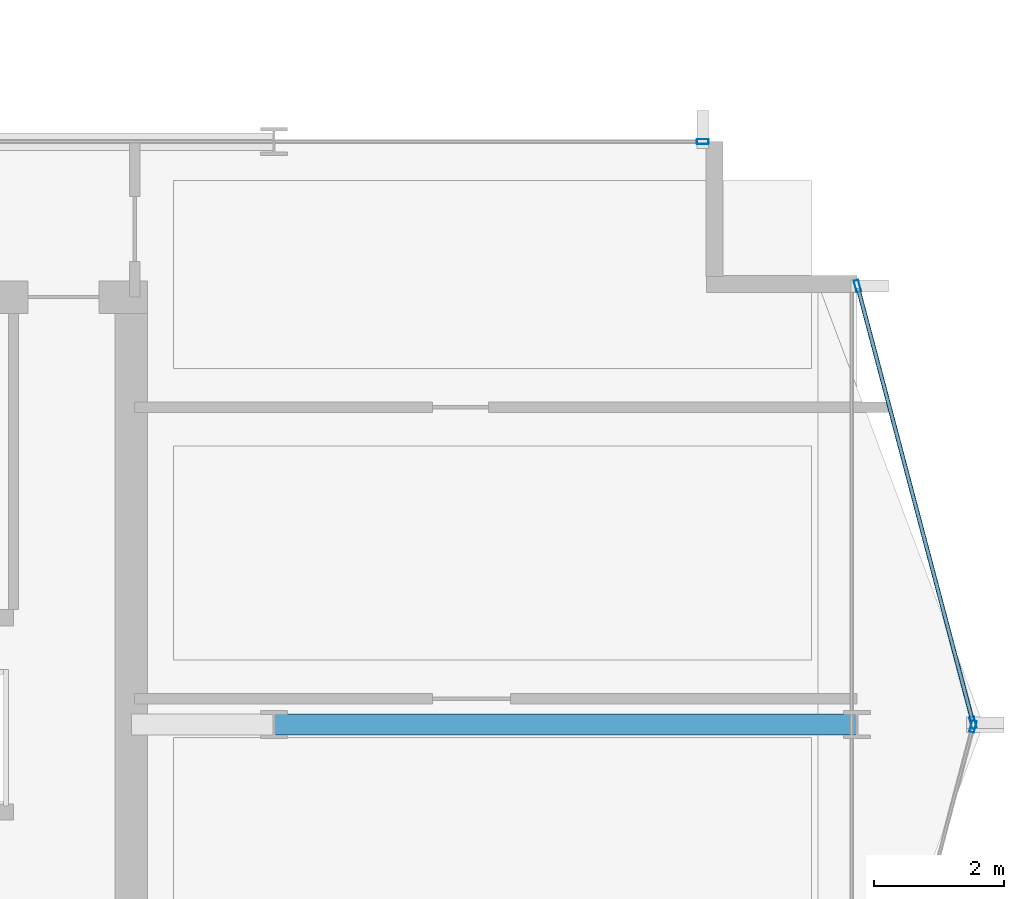
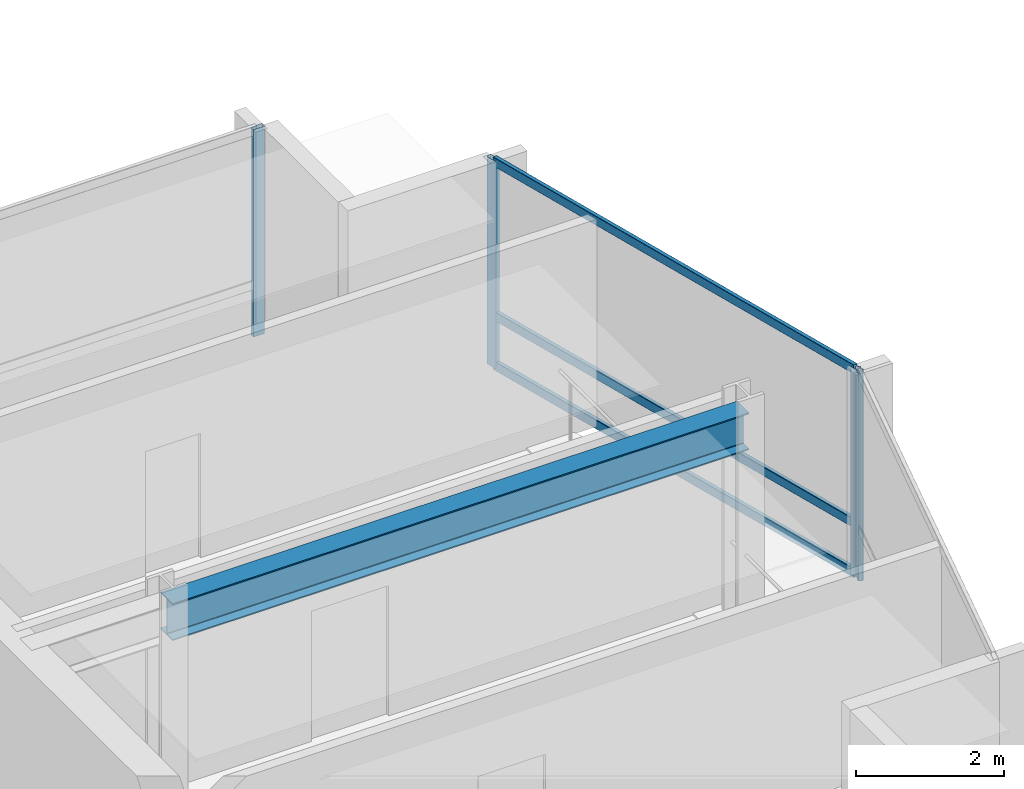
# One storey, part 14 of 29: 7 members, 1 beam, 3 elements without a shape of their own.
"""IFC4 building model written with IfcOpenShell, lengths in metres."""

from ifc_helpers import new_model, si_unit, direction, frame, origin, origin_2d, place, context, subcontext, project, spatial, hollow_rectangle, i_section, extrude, material, layer, layer_set, material_profile, profile_set, type_object, element, aggregate, save


model = new_model("IFC4")

# Units and contexts
model_context = context("Model", 3, precision=1e-05, world=origin(), true_north=direction((0.0, 1.0)))
body_context = subcontext(model_context, "Body", "Model", "MODEL_VIEW")
ifc_project = project(units=[si_unit("LENGTHUNIT", "METRE"), si_unit("AREAUNIT", "SQUARE_METRE"), si_unit("VOLUMEUNIT", "CUBIC_METRE"), si_unit("PLANEANGLEUNIT", "RADIAN"), si_unit("MASSUNIT", "GRAM", prefix="KILO")], contexts=[model_context])

# Site, building, storey
site_placement = place(None, origin())
site = spatial("IfcSite", under=ifc_project, at=site_placement, CompositionType="ELEMENT")
building_placement = place(site_placement, origin())
building = spatial("IfcBuilding", under=site, at=building_placement, Name="Solvaryn Broadcast Tower", CompositionType="ELEMENT")
storey_placement = place(building_placement, frame((0.0, 0.0, 143.300048828125)))
storey = spatial("IfcBuildingStorey", under=building, at=storey_placement, Name="L35", CompositionType="ELEMENT", Elevation=143.300048828125)

# Beam
ifc_material_1 = material(Name="Steel ASTM A992 Grade 50", Category="steel")
ifc_material_profile_1 = material_profile(ifc_material_1, i_section(OverallWidth=0.323974609375, OverallDepth=0.611083984375, WebThickness=0.0126953125, FlangeThickness=0.01904296875, FilletRadius=0.014892578125, at=origin_2d()))
ifc_profile_set_1 = profile_set([ifc_material_profile_1], Name="Steel ASTM A992 Grade 50")
beam_type = type_object("IfcBeamType", Name="BM-B1-W24X104", PredefinedType="BEAM", material=ifc_profile_set_1)
beam_placement = place(storey_placement, frame((45.0, 18.0, 3.114501953125), z_axis=(1.0, 0.0, 0.0), x_axis=(0.0, 1.0, 0.0)))
element("IfcBeam", 1, at=beam_placement, inside=storey, type_object=beam_type, Name="L35 Primary Beam X (45-54 @ Y=18)", PredefinedType="BEAM", context=body_context, shape_type="SweptSolid", body=[
    extrude(i_section(OverallWidth=0.323974609375, OverallDepth=0.611083984375, WebThickness=0.0126953125, FlangeThickness=0.01904296875, FilletRadius=0.014892578125, at=origin_2d()), origin(), (0.0, 0.0, 1.0), 9.0),
])

# Curtain wall, members
ifc_material_2 = material(Name="Aluminium and Terracotta Unitised Curtain Wall", Category="masonry")
ifc_layer = layer(ifc_material_2, 0.199951171875)
ifc_layer_set = layer_set([ifc_layer], Name="CW-SYS2-LOWMID")
curtain_wall_type = type_object("IfcCurtainWallType", Name="CW-SYS2-LOWMID", PredefinedType="NOTDEFINED", material=ifc_layer_set)
curtain_wall_1_placement = place(storey_placement, origin())
curtain_wall_1 = element("IfcCurtainWall", 2, at=curtain_wall_1_placement, inside=storey, type_object=curtain_wall_type, Name="L35 Curtain Wall ET1", PredefinedType="NOTDEFINED")
ifc_material_3 = material(Name="Anodised Aluminium 6063-T6", Category="aluminium")
ifc_material_profile_2 = material_profile(ifc_material_3, hollow_rectangle(XDim=0.074951171875, YDim=0.179931640625, WallThickness=0.00390625, InnerFilletRadius=0.00390625, OuterFilletRadius=0.008056640625, at=origin_2d()))
ifc_profile_set_2 = profile_set([ifc_material_profile_2], Name="Anodised Aluminium 6063-T6")
member_type_1 = type_object("IfcMemberType", Name="CW-MUL-180", PredefinedType="MULLION", material=ifc_profile_set_2)
member_1_placement = place(storey_placement, frame((54.007568359375, 24.77099609375, 0.0), z_axis=(0.0, 0.0, 1.0), x_axis=(0.966705227863, 0.25589256031, 0.0)))
member_1 = element("IfcMember", 3, at=member_1_placement, type_object=member_type_1, Name="CWS2 mullion 1", PredefinedType="MULLION", context=body_context, shape_type="SweptSolid", body=[
    extrude(hollow_rectangle(XDim=0.074951171875, YDim=0.179931640625, WallThickness=0.00390625, InnerFilletRadius=0.00390625, OuterFilletRadius=0.008056640625, at=origin_2d()), origin(), (0.0, 0.0, 1.0), 3.419921875),
])
member_2_placement = place(storey_placement, frame((55.792236328125, 18.029052734375, 0.0), z_axis=(0.0, 0.0, 1.0), x_axis=(0.966705227863, 0.25589256031, 0.0)))
member_2 = element("IfcMember", 4, at=member_2_placement, type_object=member_type_1, Name="CWS2 mullion 2", PredefinedType="MULLION", context=body_context, shape_type="SweptSolid", body=[
    extrude(hollow_rectangle(XDim=0.074951171875, YDim=0.179931640625, WallThickness=0.00390625, InnerFilletRadius=0.00390625, OuterFilletRadius=0.008056640625, at=origin_2d()), origin(), (0.0, 0.0, 1.0), 3.419921875),
])

# Curtain wall, member
curtain_wall_2_placement = place(storey_placement, origin())
curtain_wall_2 = element("IfcCurtainWall", 5, at=curtain_wall_2_placement, inside=storey, type_object=curtain_wall_type, Name="L35 Curtain Wall ET2", PredefinedType="NOTDEFINED")
member_3_placement = place(storey_placement, frame((55.792236328125, 17.970947265625, 0.0), z_axis=(0.0, 0.0, 1.0), x_axis=(0.966705227863, -0.25589256031, 0.0)))
member_3 = element("IfcMember", 6, at=member_3_placement, type_object=member_type_1, Name="CWS2 mullion 1", PredefinedType="MULLION", context=body_context, shape_type="SweptSolid", body=[
    extrude(hollow_rectangle(XDim=0.074951171875, YDim=0.179931640625, WallThickness=0.00390625, InnerFilletRadius=0.00390625, OuterFilletRadius=0.008056640625, at=origin_2d()), origin(), (0.0, 0.0, 1.0), 3.419921875),
])
aggregate(curtain_wall_2, [member_3])

curtain_wall_3_placement = place(storey_placement, origin())
curtain_wall_3 = element("IfcCurtainWall", 7, at=curtain_wall_3_placement, inside=storey, type_object=curtain_wall_type, Name="L35 Curtain Wall IH", PredefinedType="NOTDEFINED")
member_4_placement = place(storey_placement, frame((51.6201171875, 27.0, 0.0), z_axis=(0.0, 0.0, 1.0), x_axis=(0.0, 1.0, 0.0)))
member_4 = element("IfcMember", 8, at=member_4_placement, type_object=member_type_1, Name="CWS2 mullion 2", PredefinedType="MULLION", context=body_context, shape_type="SweptSolid", body=[
    extrude(hollow_rectangle(XDim=0.074951171875, YDim=0.179931640625, WallThickness=0.00390625, InnerFilletRadius=0.00390625, OuterFilletRadius=0.008056640625, at=origin_2d()), origin(), (0.0, 0.0, 1.0), 3.419921875),
])
aggregate(curtain_wall_3, [member_4])

# Member
ifc_material_4 = material(Name="Anodised Aluminium 6063-T6", Category="aluminium")
ifc_material_profile_3 = material_profile(ifc_material_4, hollow_rectangle(XDim=0.06494140625, YDim=0.14990234375, WallThickness=0.00390625, InnerFilletRadius=0.00390625, OuterFilletRadius=0.008056640625, at=origin_2d()))
ifc_profile_set_3 = profile_set([ifc_material_profile_3], Name="Anodised Aluminium 6063-T6")
member_type_2 = type_object("IfcMemberType", Name="CW-TRN-150", PredefinedType="USERDEFINED", material=ifc_profile_set_3)
member_5_placement = place(storey_placement, frame((54.015380859375, 24.741943359375, 0.030029296875), z_axis=(0.255897413051, -0.966703943301, 0.0), x_axis=(0.966703943301, 0.255897413051, 0.0)))
member_5 = element("IfcMember", 9, at=member_5_placement, type_object=member_type_2, Name="CWS2 transom 1.1", ObjectType="TRANSOM", PredefinedType="USERDEFINED", context=body_context, shape_type="SweptSolid", body=[
    extrude(hollow_rectangle(XDim=0.06494140625, YDim=0.14990234375, WallThickness=0.00390625, InnerFilletRadius=0.00390625, OuterFilletRadius=0.008056640625, at=origin_2d()), origin(), (0.0, 0.0, 1.0), 6.9140625),
])

member_6_placement = place(storey_placement, frame((54.015380859375, 24.741943359375, 0.849853515625), z_axis=(0.255897413051, -0.966703943301, 0.0), x_axis=(0.966703943301, 0.255897413051, 0.0)))
member_6 = element("IfcMember", 10, at=member_6_placement, type_object=member_type_2, Name="CWS2 transom 1.2", ObjectType="TRANSOM", PredefinedType="USERDEFINED", context=body_context, shape_type="SweptSolid", body=[
    extrude(hollow_rectangle(XDim=0.06494140625, YDim=0.14990234375, WallThickness=0.00390625, InnerFilletRadius=0.00390625, OuterFilletRadius=0.008056640625, at=origin_2d()), origin(), (0.0, 0.0, 1.0), 6.9140625),
])

member_7_placement = place(storey_placement, frame((54.015380859375, 24.741943359375, 3.389892578125), z_axis=(0.255897413051, -0.966703943301, 0.0), x_axis=(0.966703943301, 0.255897413051, 0.0)))
member_7 = element("IfcMember", 11, at=member_7_placement, type_object=member_type_2, Name="CWS2 transom 1.3", ObjectType="TRANSOM", PredefinedType="USERDEFINED", context=body_context, shape_type="SweptSolid", body=[
    extrude(hollow_rectangle(XDim=0.06494140625, YDim=0.14990234375, WallThickness=0.00390625, InnerFilletRadius=0.00390625, OuterFilletRadius=0.008056640625, at=origin_2d()), origin(), (0.0, 0.0, 1.0), 6.9140625),
])

aggregate(curtain_wall_1, [member_1, member_2, member_5, member_6, member_7])

save(model, "model.ifc")
